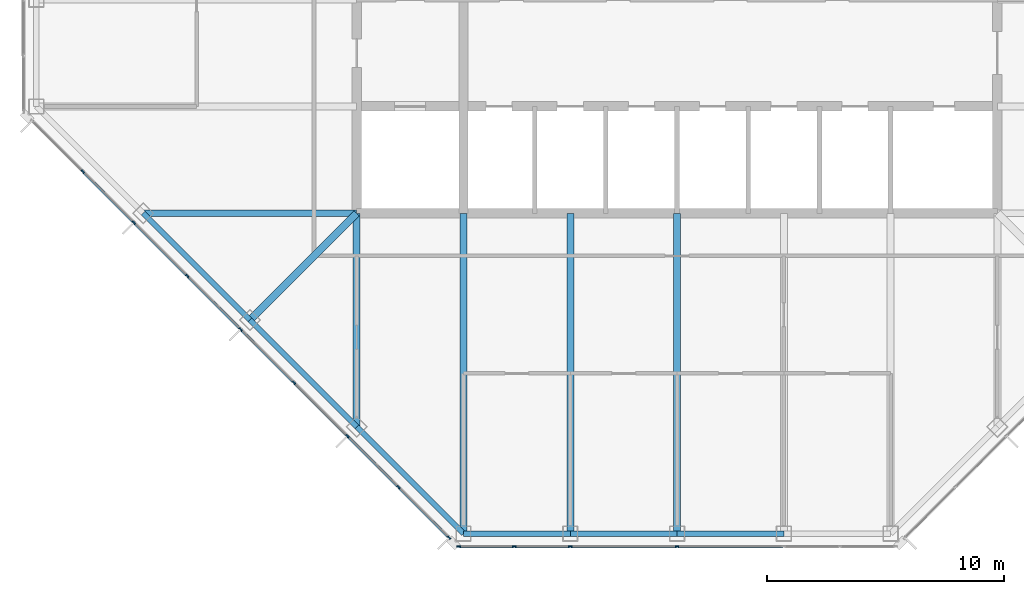
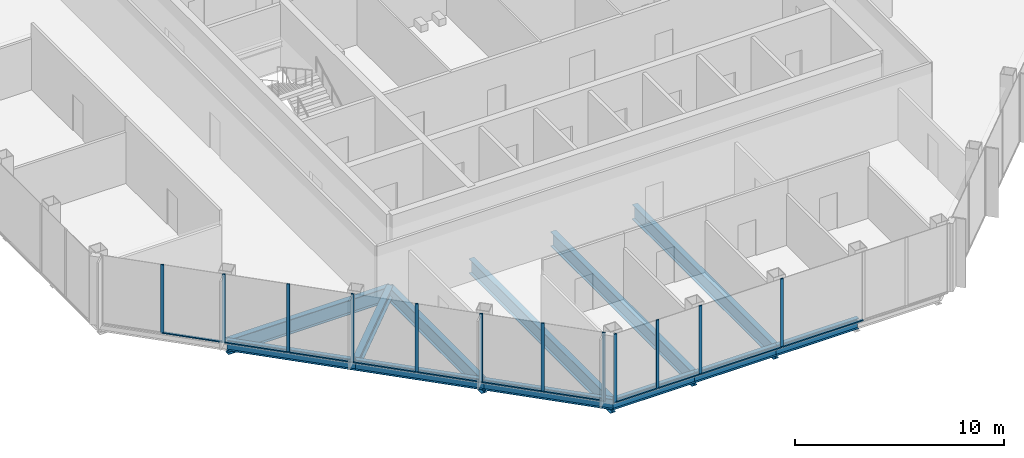
# One storey, part 2 of 14: 23 members, 12 beams, 2 elements without a shape of their own.
"""IFC4 building model written with IfcOpenShell, lengths in metres."""

from ifc_helpers import new_model, si_unit, direction, frame, origin, origin_2d, place, context, subcontext, project, spatial, rectangle, i_section, extrude, material, material_profile, profile_set, type_object, element, aggregate, save


model = new_model("IFC4")

# Units and contexts
model_context = context("Model", 3, precision=1e-05, world=origin(), true_north=direction((0.0, 1.0)))
body_context = subcontext(model_context, "Body", "Model", "MODEL_VIEW")
ifc_project = project(units=[si_unit("LENGTHUNIT", "METRE"), si_unit("AREAUNIT", "SQUARE_METRE"), si_unit("VOLUMEUNIT", "CUBIC_METRE"), si_unit("PLANEANGLEUNIT", "RADIAN"), si_unit("MASSUNIT", "GRAM", prefix="KILO")], contexts=[model_context])

# Site, building, storey
site_placement = place(None, origin())
site = spatial("IfcSite", under=ifc_project, at=site_placement, CompositionType="ELEMENT")
building_placement = place(site_placement, origin())
building = spatial("IfcBuilding", under=site, at=building_placement, Name="Corais Broadcast Tower", CompositionType="ELEMENT")
storey_placement = place(building_placement, frame((0.0, 0.0, 254.60009765625)))
storey = spatial("IfcBuildingStorey", under=building, at=storey_placement, Name="L59", CompositionType="ELEMENT", Elevation=254.60009765625)

# Beams
ifc_material_1 = material(Name="Steel ASTM A572 Grade 50", Category="steel")
ifc_material_profile_1 = material_profile(ifc_material_1, i_section(OverallWidth=0.323974609375, OverallDepth=0.611083984375, WebThickness=0.0126953125, FlangeThickness=0.01904296875, at=origin_2d()), Name="W610x155")
ifc_profile_set_1 = profile_set([ifc_material_profile_1], Name="Steel ASTM A572 Grade 50")
beam_type_1 = type_object("IfcBeamType", Name="Corner diagonal W610x155", PredefinedType="BEAM", material=ifc_profile_set_1)
beam_1_placement = place(storey_placement, frame((9.0, 9.0, -0.465576171875), z_axis=(0.707106781187, 0.707106781187, 0.0), x_axis=(-0.707106781187, 0.707106781187, 0.0)))
element("IfcBeam", 1, at=beam_1_placement, inside=storey, type_object=beam_type_1, Name="B6 C/5 to D/6", PredefinedType="BEAM", context=body_context, shape_type="SweptSolid", body=[
    extrude(i_section(OverallWidth=0.323974609375, OverallDepth=0.611083984375, WebThickness=0.0126953125, FlangeThickness=0.01904296875, at=origin_2d()), origin(), (0.0, 0.0, 1.0), 6.364013671875),
])
ifc_material_2 = material(Name="Steel ASTM A572 Grade 50", Category="steel")
ifc_material_profile_2 = material_profile(ifc_material_2, i_section(OverallWidth=0.2939453125, OverallDepth=0.85107421875, WebThickness=0.01611328125, FlangeThickness=0.02685546875, at=origin_2d()), Name="W840x226")
ifc_profile_set_2 = profile_set([ifc_material_profile_2], Name="Steel ASTM A572 Grade 50")
beam_type_2 = type_object("IfcBeamType", Name="Floor beam W840x226", PredefinedType="BEAM", material=ifc_profile_set_2)
beam_2_placement = place(storey_placement, frame((13.5, 4.5, -0.585693359375), z_axis=(0.0, 1.0, 0.0), x_axis=(-1.0, 0.0, 0.0)))
element("IfcBeam", 2, at=beam_2_placement, inside=storey, type_object=beam_type_2, Name="B1 B/6 to D/6", PredefinedType="BEAM", context=body_context, shape_type="SweptSolid", body=[
    extrude(i_section(OverallWidth=0.2939453125, OverallDepth=0.85107421875, WebThickness=0.01611328125, FlangeThickness=0.02685546875, at=origin_2d()), origin(), (0.0, 0.0, 1.0), 9.0),
])
for number, where, z_axis, x_axis, name in (
    (3, (18.0, 0.0, -0.585693359375), (0.0, 1.0, 0.0), (-1.0, 0.0, 0.0), "B1 A/7 to D/7"),
    (4, (22.5, 0.0, -0.585693359375), (0.0, 1.0, 0.0), (-1.0, 0.0, 0.0), "B1 A/8 to D/8"),
    (5, (27.0, 0.0, -0.585693359375), (0.0, 1.0, 0.0), (-1.0, 0.0, 0.0), "B1 A/9 to D/9"),
):
    element("IfcBeam", number, at=place(storey_placement, frame(where, z_axis=z_axis, x_axis=x_axis)), inside=storey, type_object=beam_type_2, Name=name, PredefinedType="BEAM", context=body_context, shape_type="SweptSolid", body=[
        extrude(i_section(OverallWidth=0.2939453125, OverallDepth=0.85107421875, WebThickness=0.01611328125, FlangeThickness=0.02685546875, at=origin_2d()), origin(), (0.0, 0.0, 1.0), 13.5),
    ])
beam_3_placement = place(storey_placement, frame((4.5, 13.5, -0.585693359375), z_axis=(1.0, 0.0, 0.0), x_axis=(0.0, 1.0, 0.0)))
element("IfcBeam", 6, at=beam_3_placement, inside=storey, type_object=beam_type_2, Name="B1 D/4 to D/6", PredefinedType="BEAM", context=body_context, shape_type="SweptSolid", body=[
    extrude(i_section(OverallWidth=0.2939453125, OverallDepth=0.85107421875, WebThickness=0.01611328125, FlangeThickness=0.02685546875, at=origin_2d()), origin(), (0.0, 0.0, 1.0), 9.0),
])

# Curtain wall, members
ifc_material_3 = material(Name="Aluminium and glass", Category="aluminium")
curtain_wall_type = type_object("IfcCurtainWallType", Name="Unitised fritted curtain wall CW3", PredefinedType="NOTDEFINED", material=ifc_material_3)
curtain_wall_1_placement = place(storey_placement, origin())
curtain_wall_1 = element("IfcCurtainWall", 7, at=curtain_wall_1_placement, inside=storey, type_object=curtain_wall_type, Name="CW3 curtain wall L59 1", PredefinedType="NOTDEFINED")
ifc_material_4 = material(Name="Aluminium 6063-T6", Category="aluminium")
ifc_material_profile_3 = material_profile(ifc_material_4, rectangle(XDim=0.06494140625, YDim=0.159912109375, at=origin_2d()), Name="Mullion CW3 65x160")
ifc_profile_set_3 = profile_set([ifc_material_profile_3], Name="Aluminium 6063-T6")
member_type_1 = type_object("IfcMemberType", Name="Mullion CW3 65x160", PredefinedType="MULLION", material=ifc_profile_set_3)
member_1_placement = place(storey_placement, frame((17.3955078125, -0.17333984375, 0.0), z_axis=(0.0, 0.0, 1.0), x_axis=(-0.707106781187, -0.707106781187, 0.0)))
member_1 = element("IfcMember", 8, at=member_1_placement, type_object=member_type_1, Name="CW3 mullion 1", PredefinedType="MULLION", context=body_context, shape_type="SweptSolid", body=[
    extrude(rectangle(XDim=0.06494140625, YDim=0.159912109375, at=origin_2d()), origin(), (0.0, 0.0, 1.0), 4.0),
])
member_2_placement = place(storey_placement, frame((15.264892578125, 1.957275390625, 0.0), z_axis=(0.0, 0.0, 1.0), x_axis=(-0.707106781187, -0.707106781187, 0.0)))
member_2 = element("IfcMember", 9, at=member_2_placement, type_object=member_type_1, Name="CW3 mullion 2", PredefinedType="MULLION", context=body_context, shape_type="SweptSolid", body=[
    extrude(rectangle(XDim=0.06494140625, YDim=0.159912109375, at=origin_2d()), origin(), (0.0, 0.0, 1.0), 4.0),
])
member_3_placement = place(storey_placement, frame((13.111083984375, 4.111083984375, 0.0), z_axis=(0.0, 0.0, 1.0), x_axis=(-0.707106781187, -0.707106781187, 0.0)))
member_3 = element("IfcMember", 10, at=member_3_placement, type_object=member_type_1, Name="CW3 mullion 3", PredefinedType="MULLION", context=body_context, shape_type="SweptSolid", body=[
    extrude(rectangle(XDim=0.06494140625, YDim=0.159912109375, at=origin_2d()), origin(), (0.0, 0.0, 1.0), 4.0),
])
member_4_placement = place(storey_placement, frame((10.861083984375, 6.361083984375, 0.0), z_axis=(0.0, 0.0, 1.0), x_axis=(-0.707106781187, -0.707106781187, 0.0)))
member_4 = element("IfcMember", 11, at=member_4_placement, type_object=member_type_1, Name="CW3 mullion 4", PredefinedType="MULLION", context=body_context, shape_type="SweptSolid", body=[
    extrude(rectangle(XDim=0.06494140625, YDim=0.159912109375, at=origin_2d()), origin(), (0.0, 0.0, 1.0), 4.0),
])
member_5_placement = place(storey_placement, frame((8.611083984375, 8.611083984375, 0.0), z_axis=(0.0, 0.0, 1.0), x_axis=(-0.707106781187, -0.707106781187, 0.0)))
member_5 = element("IfcMember", 12, at=member_5_placement, type_object=member_type_1, Name="CW3 mullion 5", PredefinedType="MULLION", context=body_context, shape_type="SweptSolid", body=[
    extrude(rectangle(XDim=0.06494140625, YDim=0.159912109375, at=origin_2d()), origin(), (0.0, 0.0, 1.0), 4.0),
])
member_6_placement = place(storey_placement, frame((6.361083984375, 10.861083984375, 0.0), z_axis=(0.0, 0.0, 1.0), x_axis=(-0.707106781187, -0.707106781187, 0.0)))
member_6 = element("IfcMember", 13, at=member_6_placement, type_object=member_type_1, Name="CW3 mullion 6", PredefinedType="MULLION", context=body_context, shape_type="SweptSolid", body=[
    extrude(rectangle(XDim=0.06494140625, YDim=0.159912109375, at=origin_2d()), origin(), (0.0, 0.0, 1.0), 4.0),
])
member_7_placement = place(storey_placement, frame((4.111083984375, 13.111083984375, 0.0), z_axis=(0.0, 0.0, 1.0), x_axis=(-0.707106781187, -0.707106781187, 0.0)))
member_7 = element("IfcMember", 14, at=member_7_placement, type_object=member_type_1, Name="CW3 mullion 7", PredefinedType="MULLION", context=body_context, shape_type="SweptSolid", body=[
    extrude(rectangle(XDim=0.06494140625, YDim=0.159912109375, at=origin_2d()), origin(), (0.0, 0.0, 1.0), 4.0),
])
member_8_placement = place(storey_placement, frame((1.957275390625, 15.264892578125, 0.0), z_axis=(0.0, 0.0, 1.0), x_axis=(-0.707106781187, -0.707106781187, 0.0)))
member_8 = element("IfcMember", 15, at=member_8_placement, type_object=member_type_1, Name="CW3 mullion 8", PredefinedType="MULLION", context=body_context, shape_type="SweptSolid", body=[
    extrude(rectangle(XDim=0.06494140625, YDim=0.159912109375, at=origin_2d()), origin(), (0.0, 0.0, 1.0), 4.0),
])

curtain_wall_2_placement = place(storey_placement, origin())
curtain_wall_2 = element("IfcCurtainWall", 16, at=curtain_wall_2_placement, inside=storey, type_object=curtain_wall_type, Name="CW3 curtain wall L59 8", PredefinedType="NOTDEFINED")
member_9_placement = place(storey_placement, frame((27.0, -0.550048828125, 0.0), z_axis=(0.0, 0.0, 1.0), x_axis=(0.0, -1.0, 0.0)))
member_9 = element("IfcMember", 17, at=member_9_placement, type_object=member_type_1, Name="CW3 mullion 4", PredefinedType="MULLION", context=body_context, shape_type="SweptSolid", body=[
    extrude(rectangle(XDim=0.06494140625, YDim=0.159912109375, at=origin_2d()), origin(), (0.0, 0.0, 1.0), 4.0),
])
member_10_placement = place(storey_placement, frame((22.5, -0.550048828125, 0.0), z_axis=(0.0, 0.0, 1.0), x_axis=(0.0, -1.0, 0.0)))
member_10 = element("IfcMember", 18, at=member_10_placement, type_object=member_type_1, Name="CW3 mullion 5", PredefinedType="MULLION", context=body_context, shape_type="SweptSolid", body=[
    extrude(rectangle(XDim=0.06494140625, YDim=0.159912109375, at=origin_2d()), origin(), (0.0, 0.0, 1.0), 4.0),
])
member_11_placement = place(storey_placement, frame((20.135986328125, -0.550048828125, 0.0), z_axis=(0.0, 0.0, 1.0), x_axis=(0.0, -1.0, 0.0)))
member_11 = element("IfcMember", 19, at=member_11_placement, type_object=member_type_1, Name="CW3 mullion 6", PredefinedType="MULLION", context=body_context, shape_type="SweptSolid", body=[
    extrude(rectangle(XDim=0.06494140625, YDim=0.159912109375, at=origin_2d()), origin(), (0.0, 0.0, 1.0), 4.0),
])
member_12_placement = place(storey_placement, frame((17.8046875, -0.550048828125, 0.0), z_axis=(0.0, 0.0, 1.0), x_axis=(0.0, -1.0, 0.0)))
member_12 = element("IfcMember", 20, at=member_12_placement, type_object=member_type_1, Name="CW3 mullion 7", PredefinedType="MULLION", context=body_context, shape_type="SweptSolid", body=[
    extrude(rectangle(XDim=0.06494140625, YDim=0.159912109375, at=origin_2d()), origin(), (0.0, 0.0, 1.0), 4.0),
])

# Beams
ifc_material_5 = material(Name="Steel ASTM A572 Grade 50", Category="steel")
ifc_material_profile_4 = material_profile(ifc_material_5, i_section(OverallWidth=0.22998046875, OverallDepth=0.616943359375, WebThickness=0.01318359375, FlangeThickness=0.022216796875, at=origin_2d()), Name="W610x140")
ifc_profile_set_4 = profile_set([ifc_material_profile_4], Name="Steel ASTM A572 Grade 50")
beam_type_3 = type_object("IfcBeamType", Name="Spandrel W610x140", PredefinedType="BEAM", material=ifc_profile_set_4)
beam_4_placement = place(storey_placement, frame((13.5, 4.5, -0.468505859375), z_axis=(0.707106781187, -0.707106781187, 0.0), x_axis=(0.707106781187, 0.707106781187, 0.0)))
element("IfcBeam", 21, at=beam_4_placement, inside=storey, type_object=beam_type_3, Name="SB3 B/6 to A/7", PredefinedType="BEAM", context=body_context, shape_type="SweptSolid", body=[
    extrude(i_section(OverallWidth=0.22998046875, OverallDepth=0.616943359375, WebThickness=0.01318359375, FlangeThickness=0.022216796875, at=origin_2d()), origin(), (0.0, 0.0, 1.0), 6.364013671875),
])
for number, where, z_axis, x_axis, name in (
    (22, (18.0, 0.0, -0.468505859375), (1.0, 0.0, 0.0), (0.0, 1.0, 0.0), "SB3 A/7 to A/8"),
    (23, (22.5, 0.0, -0.468505859375), (1.0, 0.0, 0.0), (0.0, 1.0, 0.0), "SB3 A/8 to A/9"),
    (24, (27.0, 0.0, -0.468505859375), (1.0, 0.0, 0.0), (0.0, 1.0, 0.0), "SB3 A/9 to A/10"),
):
    element("IfcBeam", number, at=place(storey_placement, frame(where, z_axis=z_axis, x_axis=x_axis)), inside=storey, type_object=beam_type_3, Name=name, PredefinedType="BEAM", context=body_context, shape_type="SweptSolid", body=[
        extrude(i_section(OverallWidth=0.22998046875, OverallDepth=0.616943359375, WebThickness=0.01318359375, FlangeThickness=0.022216796875, at=origin_2d()), origin(), (0.0, 0.0, 1.0), 4.5),
    ])
for number, where, z_axis, x_axis, name in (
    (25, (4.5, 13.5, -0.468505859375), (0.707106781187, -0.707106781187, 0.0), (0.707106781187, 0.707106781187, 0.0), "SB3 D/4 to C/5"),
    (26, (9.0, 9.0, -0.468505859375), (0.707106781187, -0.707106781187, 0.0), (0.707106781187, 0.707106781187, 0.0), "SB3 C/5 to B/6"),
):
    element("IfcBeam", number, at=place(storey_placement, frame(where, z_axis=z_axis, x_axis=x_axis)), inside=storey, type_object=beam_type_3, Name=name, PredefinedType="BEAM", context=body_context, shape_type="SweptSolid", body=[
        extrude(i_section(OverallWidth=0.22998046875, OverallDepth=0.616943359375, WebThickness=0.01318359375, FlangeThickness=0.022216796875, at=origin_2d()), origin(), (0.0, 0.0, 1.0), 6.364013671875),
    ])

# Member
ifc_material_6 = material(Name="Aluminium 6063-T6", Category="aluminium")
ifc_material_profile_5 = material_profile(ifc_material_6, rectangle(XDim=0.1201171875, YDim=0.06494140625, at=origin_2d()), Name="Transom CW3 65x120")
ifc_profile_set_5 = profile_set([ifc_material_profile_5], Name="Aluminium 6063-T6")
member_type_2 = type_object("IfcMemberType", Name="Transom CW3 65x120", PredefinedType="USERDEFINED", material=ifc_profile_set_5)
member_13_placement = place(storey_placement, frame((17.37255859375, -0.150390625, 0.032470703125), z_axis=(-0.707106781187, 0.707106781187, 0.0), x_axis=(-0.707106781187, -0.707106781187, 0.0)))
member_13 = element("IfcMember", 27, at=member_13_placement, type_object=member_type_2, Name="CW3 transom 1.1", ObjectType="TRANSOM", PredefinedType="USERDEFINED", context=body_context, shape_type="SweptSolid", body=[
    extrude(rectangle(XDim=0.1201171875, YDim=0.06494140625, at=origin_2d()), origin(), (0.0, 0.0, 1.0), 2.9482421875),
])

member_14_placement = place(storey_placement, frame((15.241943359375, 1.980224609375, 0.032470703125), z_axis=(-0.707106781187, 0.707106781187, 0.0), x_axis=(-0.707106781187, -0.707106781187, 0.0)))
member_14 = element("IfcMember", 28, at=member_14_placement, type_object=member_type_2, Name="CW3 transom 2.1", ObjectType="TRANSOM", PredefinedType="USERDEFINED", context=body_context, shape_type="SweptSolid", body=[
    extrude(rectangle(XDim=0.1201171875, YDim=0.06494140625, at=origin_2d()), origin(), (0.0, 0.0, 1.0), 2.98095703125),
])

member_15_placement = place(storey_placement, frame((13.088134765625, 4.134033203125, 0.032470703125), z_axis=(-0.707106781187, 0.707106781187, 0.0), x_axis=(-0.707106781187, -0.707106781187, 0.0)))
member_15 = element("IfcMember", 29, at=member_15_placement, type_object=member_type_2, Name="CW3 transom 3.1", ObjectType="TRANSOM", PredefinedType="USERDEFINED", context=body_context, shape_type="SweptSolid", body=[
    extrude(rectangle(XDim=0.1201171875, YDim=0.06494140625, at=origin_2d()), origin(), (0.0, 0.0, 1.0), 3.1171875),
])

member_16_placement = place(storey_placement, frame((10.838134765625, 6.384033203125, 0.032470703125), z_axis=(-0.707106781187, 0.707106781187, 0.0), x_axis=(-0.707106781187, -0.707106781187, 0.0)))
member_16 = element("IfcMember", 30, at=member_16_placement, type_object=member_type_2, Name="CW3 transom 4.1", ObjectType="TRANSOM", PredefinedType="USERDEFINED", context=body_context, shape_type="SweptSolid", body=[
    extrude(rectangle(XDim=0.1201171875, YDim=0.06494140625, at=origin_2d()), origin(), (0.0, 0.0, 1.0), 3.1171875),
])

member_17_placement = place(storey_placement, frame((8.588134765625, 8.634033203125, 0.032470703125), z_axis=(-0.707106781187, 0.707106781187, 0.0), x_axis=(-0.707106781187, -0.707106781187, 0.0)))
member_17 = element("IfcMember", 31, at=member_17_placement, type_object=member_type_2, Name="CW3 transom 5.1", ObjectType="TRANSOM", PredefinedType="USERDEFINED", context=body_context, shape_type="SweptSolid", body=[
    extrude(rectangle(XDim=0.1201171875, YDim=0.06494140625, at=origin_2d()), origin(), (0.0, 0.0, 1.0), 3.1171875),
])

member_18_placement = place(storey_placement, frame((6.338134765625, 10.884033203125, 0.032470703125), z_axis=(-0.707106781187, 0.707106781187, 0.0), x_axis=(-0.707106781187, -0.707106781187, 0.0)))
member_18 = element("IfcMember", 32, at=member_18_placement, type_object=member_type_2, Name="CW3 transom 6.1", ObjectType="TRANSOM", PredefinedType="USERDEFINED", context=body_context, shape_type="SweptSolid", body=[
    extrude(rectangle(XDim=0.1201171875, YDim=0.06494140625, at=origin_2d()), origin(), (0.0, 0.0, 1.0), 3.1171875),
])

member_19_placement = place(storey_placement, frame((4.088134765625, 13.134033203125, 0.032470703125), z_axis=(-0.707065828661, 0.70714773134, 0.0), x_axis=(-0.70714773134, -0.707065828661, 0.0)))
member_19 = element("IfcMember", 33, at=member_19_placement, type_object=member_type_2, Name="CW3 transom 7.1", ObjectType="TRANSOM", PredefinedType="USERDEFINED", context=body_context, shape_type="SweptSolid", body=[
    extrude(rectangle(XDim=0.1201171875, YDim=0.06494140625, at=origin_2d()), origin(), (0.0, 0.0, 1.0), 2.98095703125),
])

aggregate(curtain_wall_1, [member_1, member_2, member_3, member_4, member_5, member_6, member_7, member_8, member_13, member_14, member_15, member_16, member_17, member_18, member_19])

member_20_placement = place(storey_placement, frame((31.467529296875, -0.550048828125, 0.032470703125), z_axis=(-1.0, 0.0, 0.0), x_axis=(0.0, -1.0, 0.0)))
member_20 = element("IfcMember", 34, at=member_20_placement, type_object=member_type_2, Name="CW3 transom 3.1", ObjectType="TRANSOM", PredefinedType="USERDEFINED", context=body_context, shape_type="SweptSolid", body=[
    extrude(rectangle(XDim=0.1201171875, YDim=0.06494140625, at=origin_2d()), origin(), (0.0, 0.0, 1.0), 4.43505859375),
])

member_21_placement = place(storey_placement, frame((26.967529296875, -0.550048828125, 0.032470703125), z_axis=(-1.0, 0.0, 0.0), x_axis=(0.0, -1.0, 0.0)))
member_21 = element("IfcMember", 35, at=member_21_placement, type_object=member_type_2, Name="CW3 transom 4.1", ObjectType="TRANSOM", PredefinedType="USERDEFINED", context=body_context, shape_type="SweptSolid", body=[
    extrude(rectangle(XDim=0.1201171875, YDim=0.06494140625, at=origin_2d()), origin(), (0.0, 0.0, 1.0), 4.43505859375),
])

member_22_placement = place(storey_placement, frame((22.467529296875, -0.550048828125, 0.032470703125), z_axis=(-1.0, 0.0, 0.0), x_axis=(0.0, -1.0, 0.0)))
member_22 = element("IfcMember", 36, at=member_22_placement, type_object=member_type_2, Name="CW3 transom 5.1", ObjectType="TRANSOM", PredefinedType="USERDEFINED", context=body_context, shape_type="SweptSolid", body=[
    extrude(rectangle(XDim=0.1201171875, YDim=0.06494140625, at=origin_2d()), origin(), (0.0, 0.0, 1.0), 2.298828125),
])

member_23_placement = place(storey_placement, frame((20.103515625, -0.550048828125, 0.032470703125), z_axis=(-1.0, 0.0, 0.0), x_axis=(0.0, -1.0, 0.0)))
member_23 = element("IfcMember", 37, at=member_23_placement, type_object=member_type_2, Name="CW3 transom 6.1", ObjectType="TRANSOM", PredefinedType="USERDEFINED", context=body_context, shape_type="SweptSolid", body=[
    extrude(rectangle(XDim=0.1201171875, YDim=0.06494140625, at=origin_2d()), origin(), (0.0, 0.0, 1.0), 2.266357421875),
])

aggregate(curtain_wall_2, [member_9, member_10, member_11, member_12, member_20, member_21, member_22, member_23])

save(model, "model.ifc")
